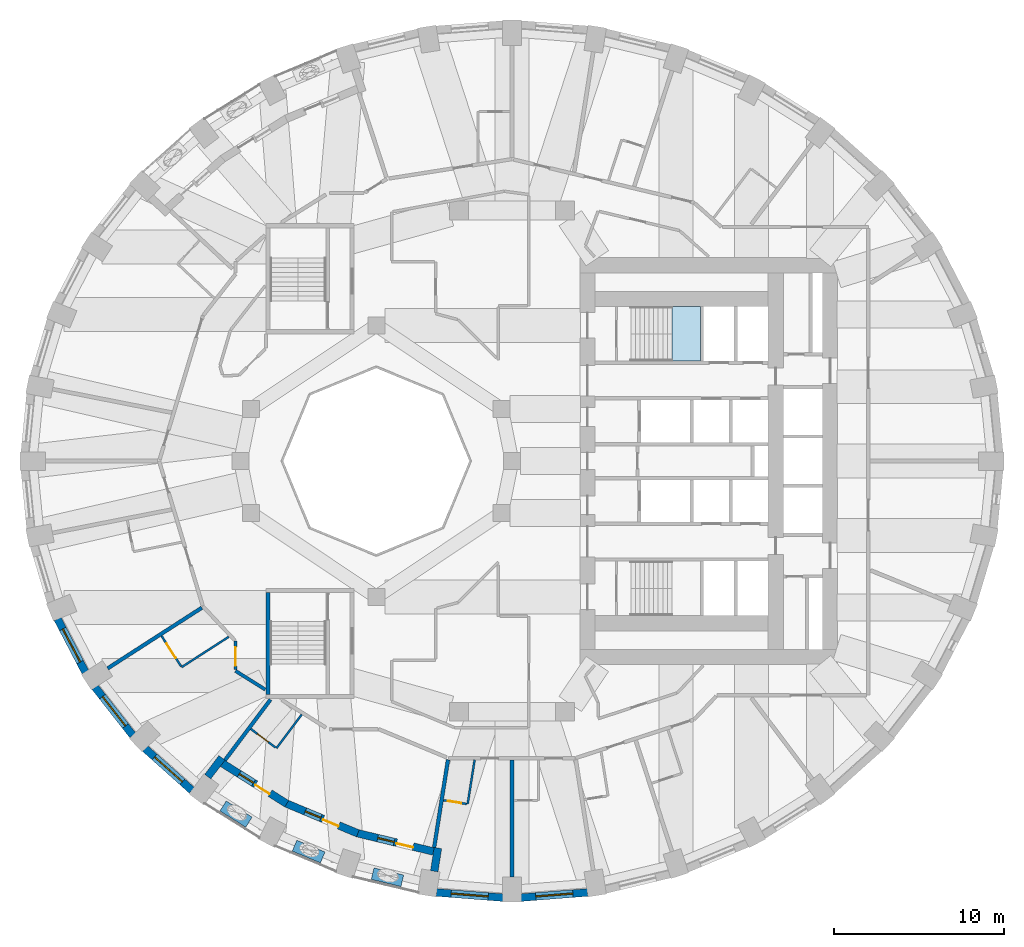
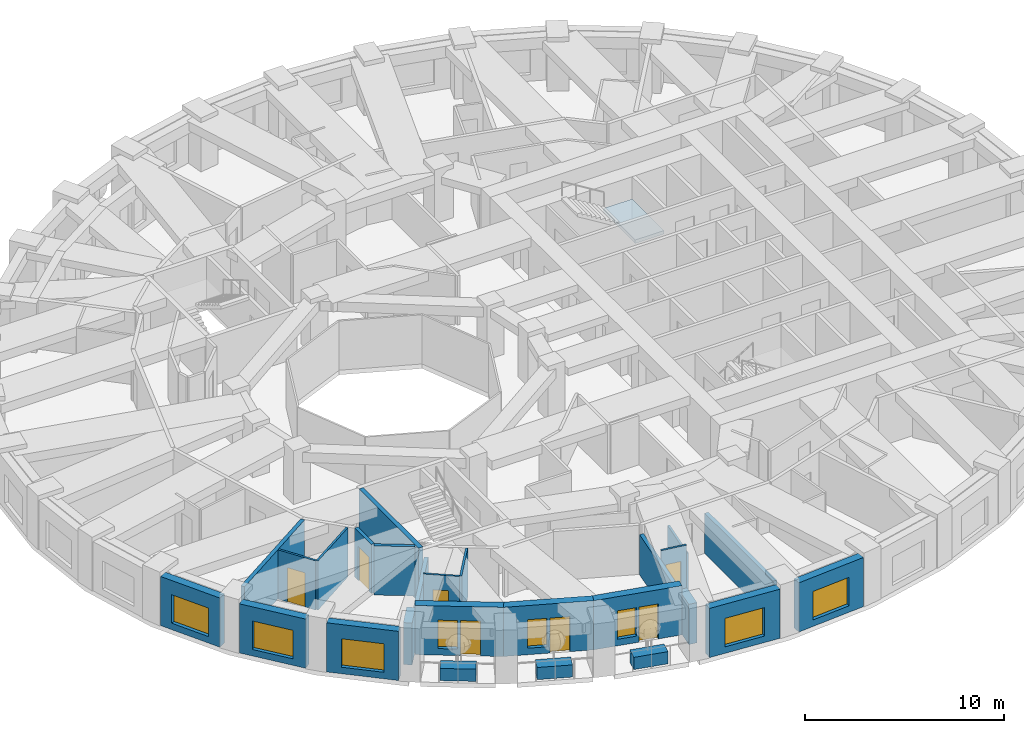
# One storey, part 3 of 13: 26 walls, 8 windows, 7 doors, 1 slab, 15 openings, 1 element without a shape of its own.
"""IFC4 building model written with IfcOpenShell, lengths in metres."""

from ifc_helpers import new_model, si_unit, direction, frame, frame_2d, origin, place, context, subcontext, project, spatial, polyline, rectangle, outline, extrude, material, layer, layer_set, constituent, constituent_set, type_object, element, fill, aggregate, save


model = new_model("IFC4")

# Units and contexts
model_context = context("Model", 3, precision=1e-05, world=origin(), true_north=direction((0.0, 1.0)))
body_context = subcontext(model_context, "Body", "Model", "MODEL_VIEW")
ifc_project = project(units=[si_unit("LENGTHUNIT", "METRE"), si_unit("AREAUNIT", "SQUARE_METRE"), si_unit("VOLUMEUNIT", "CUBIC_METRE"), si_unit("PLANEANGLEUNIT", "RADIAN"), si_unit("MASSUNIT", "GRAM", prefix="KILO")], contexts=[model_context])

# Site, building, storey
site_placement = place(None, origin())
site = spatial("IfcSite", under=ifc_project, at=site_placement, CompositionType="ELEMENT")
building_placement = place(site_placement, origin())
building = spatial("IfcBuilding", under=site, at=building_placement, Name="Taillehof Tower", CompositionType="ELEMENT")
storey_placement = place(building_placement, frame((0.0, 0.0, 41.5)))
storey = spatial("IfcBuildingStorey", under=building, at=storey_placement, Name="L10", CompositionType="ELEMENT", Elevation=41.5)

# Stair, slab
ifc_material_1 = material(Name="Concrete C40/50", Category="concrete")
stair_type = type_object("IfcStairType", Name="Exit stair half-turn", PredefinedType="HALF_TURN_STAIR", material=ifc_material_1)
stair_placement = place(storey_placement, origin())
stair = element("IfcStair", 1, at=stair_placement, inside=storey, type_object=stair_type, Name="Exit stair S1", PredefinedType="HALF_TURN_STAIR")
ifc_material_2 = material(Name="Concrete C40/50", Category="concrete")
ifc_layer_1 = layer(ifc_material_2, 0.2099609375)
ifc_layer_set_1 = layer_set([ifc_layer_1], Name="Stair landing C40/50 210")
slab_type = type_object("IfcSlabType", Name="Stair landing C40/50 210", PredefinedType="LANDING", material=ifc_layer_set_1)
slab_placement = place(storey_placement, frame((0.0, 0.0, 1.43994140625)))
slab = element("IfcSlab", 2, at=slab_placement, type_object=slab_type, Name="S1 landing 1", PredefinedType="LANDING", context=body_context, shape_type="SweptSolid", body=[
    extrude(outline(polyline([(9.429931640625, 5.89990234375), (11.10009765625, 5.89990234375), (11.10009765625, 9.10009765625), (9.429931640625, 9.10009765625), (9.429931640625, 5.89990234375)])), origin(), (0.0, 0.0, 1.0), 0.2099609375),
])
aggregate(stair, [slab])

# Wall, opening, window
ifc_material_3 = material(Name="Brick masonry", Category="masonry")
ifc_layer_2 = layer(ifc_material_3, 0.449951171875)
ifc_layer_set_2 = layer_set([ifc_layer_2], Name="Brick infill wall 450")
wall_type_1 = type_object("IfcWallType", Name="Brick infill wall 450", PredefinedType="SOLIDWALL", material=ifc_layer_set_2)
wall_1_placement = place(storey_placement, frame((-26.78564453125, -9.30517578125, 0.0), z_axis=(0.0, 0.0, 1.0), x_axis=(0.462492775226, -0.886623050041, 0.0)))
wall_1 = element("IfcWall", 3, at=wall_1_placement, inside=storey, type_object=wall_type_1, Name="Brick wall L10 bay 21", PredefinedType="SOLIDWALL", context=body_context, shape_type="SweptSolid", body=[
    extrude(rectangle(XDim=3.531982421875, YDim=0.449951171875, at=frame_2d((1.76611328125, 0.0))), origin(), (0.0, 0.0, 1.0), 3.02001953125),
])
opening_1_placement = place(wall_1_placement, frame((0.666015625, 0.0, 0.39990234375)))
opening_1 = element("IfcOpeningElement", 4, at=opening_1_placement, cuts=wall_1, Name="Opening W1", PredefinedType="OPENING", context=body_context, shape_type="SweptSolid", body=[
    extrude(rectangle(XDim=2.199951171875, YDim=1.75, at=frame_2d((1.10009765625, 0.875))), frame((0.0, 0.23486328125, 0.0), z_axis=(0.0, -1.0, 0.0), x_axis=(1.0, 0.0, 0.0)), (0.0, 0.0, 1.0), 0.469970703125),
])
ifc_material_4 = material(Name="Aluminium window frame with clear double glazing", Category="aluminium")
window_type_1 = type_object("IfcWindowType", Name="Deep-set window 2200x1750", PartitioningType="SINGLE_PANEL", PredefinedType="WINDOW", material=ifc_material_4)
window_1_placement = place(opening_1_placement, origin())
window_1 = element("IfcWindow", 5, at=window_1_placement, inside=storey, type_object=window_type_1, Name="W1", OverallHeight=1.75, OverallWidth=2.199951171875, PartitioningType="SINGLE_PANEL", PredefinedType="WINDOW", context=body_context, shape_type="SweptSolid", body=[
    extrude(rectangle(XDim=2.199951171875, YDim=1.75, at=frame_2d((1.10009765625, 0.875))), frame((0.0, 0.034912109375, 0.0), z_axis=(0.0, -1.0, 0.0), x_axis=(1.0, 0.0, 0.0)), (0.0, 0.0, 1.0), 0.06005859375),
])
fill(opening_1, window_1)

wall_2_placement = place(storey_placement, frame((-24.57763671875, -13.327880859375, 0.0), z_axis=(0.0, 0.0, 1.0), x_axis=(0.616661975264, -0.787228053529, 0.0)))
wall_2 = element("IfcWall", 6, at=wall_2_placement, inside=storey, type_object=wall_type_1, Name="Brick wall L10 bay 22", PredefinedType="SOLIDWALL", context=body_context, shape_type="SweptSolid", body=[
    extrude(rectangle(XDim=3.60986328125, YDim=0.449951171875, at=frame_2d((1.804931640625, 0.0))), origin(), (0.0, 0.0, 1.0), 3.02001953125),
])
opening_2_placement = place(wall_2_placement, frame((0.704833984375, 0.0, 0.39990234375)))
opening_2 = element("IfcOpeningElement", 7, at=opening_2_placement, cuts=wall_2, Name="Opening W1", PredefinedType="OPENING", context=body_context, shape_type="SweptSolid", body=[
    extrude(rectangle(XDim=2.199951171875, YDim=1.75, at=frame_2d((1.10009765625, 0.875))), frame((0.0, 0.23486328125, 0.0), z_axis=(0.0, -1.0, 0.0), x_axis=(1.0, 0.0, 0.0)), (0.0, 0.0, 1.0), 0.469970703125),
])
window_2_placement = place(opening_2_placement, origin())
window_2 = element("IfcWindow", 8, at=window_2_placement, inside=storey, type_object=window_type_1, Name="W1", OverallHeight=1.75, OverallWidth=2.199951171875, PartitioningType="SINGLE_PANEL", PredefinedType="WINDOW", context=body_context, shape_type="SweptSolid", body=[
    extrude(rectangle(XDim=2.199951171875, YDim=1.75, at=frame_2d((1.10009765625, 0.875))), frame((0.0, 0.034912109375, 0.0), z_axis=(0.0, -1.0, 0.0), x_axis=(1.0, 0.0, 0.0)), (0.0, 0.0, 1.0), 0.06005859375),
])
fill(opening_2, window_2)

wall_3_placement = place(storey_placement, frame((-21.626708984375, -16.943115234375, 0.0), z_axis=(0.0, 0.0, 1.0), x_axis=(0.745526233716, -0.66647628228, 0.0)))
wall_3 = element("IfcWall", 9, at=wall_3_placement, inside=storey, type_object=wall_type_1, Name="Brick wall L10 bay 23", PredefinedType="SOLIDWALL", context=body_context, shape_type="SweptSolid", body=[
    extrude(rectangle(XDim=3.69677734375, YDim=0.449951171875, at=frame_2d((1.848388671875, 0.0))), origin(), (0.0, 0.0, 1.0), 3.02001953125),
])
opening_3_placement = place(wall_3_placement, frame((0.74853515625, 0.0, 0.39990234375)))
opening_3 = element("IfcOpeningElement", 10, at=opening_3_placement, cuts=wall_3, Name="Opening W1", PredefinedType="OPENING", context=body_context, shape_type="SweptSolid", body=[
    extrude(rectangle(XDim=2.199951171875, YDim=1.75, at=frame_2d((1.10009765625, 0.875))), frame((0.0, 0.23486328125, 0.0), z_axis=(0.0, -1.0, 0.0), x_axis=(1.0, 0.0, 0.0)), (0.0, 0.0, 1.0), 0.469970703125),
])
window_3_placement = place(opening_3_placement, origin())
window_3 = element("IfcWindow", 11, at=window_3_placement, inside=storey, type_object=window_type_1, Name="W1", OverallHeight=1.75, OverallWidth=2.199951171875, PartitioningType="SINGLE_PANEL", PredefinedType="WINDOW", context=body_context, shape_type="SweptSolid", body=[
    extrude(rectangle(XDim=2.199951171875, YDim=1.75, at=frame_2d((1.10009765625, 0.875))), frame((0.0, 0.034912109375, 0.0), z_axis=(0.0, -1.0, 0.0), x_axis=(1.0, 0.0, 0.0)), (0.0, 0.0, 1.0), 0.06005859375),
])
fill(opening_3, window_3)

wall_4_placement = place(storey_placement, frame((-4.457275390625, -25.42578125, 0.0), z_axis=(0.0, 0.0, 1.0), x_axis=(0.996955972145, -0.077966592873, 0.0)))
wall_4 = element("IfcWall", 12, at=wall_4_placement, inside=storey, type_object=wall_type_1, Name="Brick wall L10 bay 27", PredefinedType="SOLIDWALL", context=body_context, shape_type="SweptSolid", body=[
    extrude(rectangle(XDim=3.939208984375, YDim=0.449951171875, at=frame_2d((1.9697265625, 0.0))), origin(), (0.0, 0.0, 1.0), 3.02001953125),
])
opening_4_placement = place(wall_4_placement, frame((0.86962890625, 0.0, 0.39990234375)))
opening_4 = element("IfcOpeningElement", 13, at=opening_4_placement, cuts=wall_4, Name="Opening W1", PredefinedType="OPENING", context=body_context, shape_type="SweptSolid", body=[
    extrude(rectangle(XDim=2.199951171875, YDim=1.75, at=frame_2d((1.10009765625, 0.875))), frame((0.0, 0.23486328125, 0.0), z_axis=(0.0, -1.0, 0.0), x_axis=(1.0, 0.0, 0.0)), (0.0, 0.0, 1.0), 0.469970703125),
])
window_4_placement = place(opening_4_placement, origin())
window_4 = element("IfcWindow", 14, at=window_4_placement, inside=storey, type_object=window_type_1, Name="W1", OverallHeight=1.75, OverallWidth=2.199951171875, PartitioningType="SINGLE_PANEL", PredefinedType="WINDOW", context=body_context, shape_type="SweptSolid", body=[
    extrude(rectangle(XDim=2.199951171875, YDim=1.75, at=frame_2d((1.10009765625, 0.875))), frame((0.0, 0.034912109375, 0.0), z_axis=(0.0, -1.0, 0.0), x_axis=(1.0, 0.0, 0.0)), (0.0, 0.0, 1.0), 0.06005859375),
])
fill(opening_4, window_4)

wall_5_placement = place(storey_placement, frame((0.530029296875, -25.73291015625, 0.0), z_axis=(0.0, 0.0, 1.0), x_axis=(0.996955972145, 0.077966592873, 0.0)))
wall_5 = element("IfcWall", 15, at=wall_5_placement, inside=storey, type_object=wall_type_1, Name="Brick wall L10 bay 28", PredefinedType="SOLIDWALL", context=body_context, shape_type="SweptSolid", body=[
    extrude(rectangle(XDim=3.939208984375, YDim=0.449951171875, at=frame_2d((1.9697265625, 0.0))), origin(), (0.0, 0.0, 1.0), 3.02001953125),
])
opening_5_placement = place(wall_5_placement, frame((0.86962890625, 0.0, 0.39990234375)))
opening_5 = element("IfcOpeningElement", 16, at=opening_5_placement, cuts=wall_5, Name="Opening W1", PredefinedType="OPENING", context=body_context, shape_type="SweptSolid", body=[
    extrude(rectangle(XDim=2.199951171875, YDim=1.75, at=frame_2d((1.10009765625, 0.875))), frame((0.0, 0.23486328125, 0.0), z_axis=(0.0, -1.0, 0.0), x_axis=(1.0, 0.0, 0.0)), (0.0, 0.0, 1.0), 0.469970703125),
])
window_5_placement = place(opening_5_placement, origin())
window_5 = element("IfcWindow", 17, at=window_5_placement, inside=storey, type_object=window_type_1, Name="W1", OverallHeight=1.75, OverallWidth=2.199951171875, PartitioningType="SINGLE_PANEL", PredefinedType="WINDOW", context=body_context, shape_type="SweptSolid", body=[
    extrude(rectangle(XDim=2.199951171875, YDim=1.75, at=frame_2d((1.10009765625, 0.875))), frame((0.0, 0.034912109375, 0.0), z_axis=(0.0, -1.0, 0.0), x_axis=(1.0, 0.0, 0.0)), (0.0, 0.0, 1.0), 0.06005859375),
])
fill(opening_5, window_5)

# Walls
wall_6_placement = place(storey_placement, frame((-17.931640625, -18.60009765625, 0.0), z_axis=(0.0, 0.0, 1.0), x_axis=(0.601262851241, 0.799051302306, 0.0)))
element("IfcWall", 18, at=wall_6_placement, inside=storey, type_object=wall_type_1, Name="Brick reveal L10 pocket 7", PredefinedType="SOLIDWALL", context=body_context, shape_type="SweptSolid", body=[
    extrude(rectangle(XDim=1.39111328125, YDim=0.449951171875, at=frame_2d((0.695556640625, 0.0))), origin(), (0.0, 0.0, 1.0), 2.570068359375),
])
wall_7_placement = place(storey_placement, frame((-4.58251953125, -24.178466796875, 0.0), z_axis=(0.0, 0.0, 1.0), x_axis=(0.156133927791, 0.98773589415, 0.0)))
element("IfcWall", 19, at=wall_7_placement, inside=storey, type_object=wall_type_1, Name="Brick reveal L10 pocket 7", PredefinedType="SOLIDWALL", context=body_context, shape_type="SweptSolid", body=[
    extrude(rectangle(XDim=1.39013671875, YDim=0.449951171875, at=frame_2d((0.695068359375, 0.0))), origin(), (0.0, 0.0, 1.0), 2.469970703125),
])

# Wall, openings, door, window
wall_8_placement = place(storey_placement, frame((-17.062255859375, -17.81884765625, 0.0), z_axis=(0.0, 0.0, 1.0), x_axis=(0.846990101364, -0.531608660757, 0.0)))
wall_8 = element("IfcWall", 20, at=wall_8_placement, inside=storey, type_object=wall_type_1, Name="Brick wall L10 pocket bay 24", PredefinedType="SOLIDWALL", context=body_context, shape_type="SweptSolid", body=[
    extrude(rectangle(XDim=4.468994140625, YDim=0.449951171875, at=frame_2d((2.234375, 0.0))), origin(), (0.0, 0.0, 1.0), 3.02001953125),
])
opening_6_placement = place(wall_8_placement, frame((1.159423828125, 0.0, 0.39990234375)))
opening_6 = element("IfcOpeningElement", 21, at=opening_6_placement, cuts=wall_8, Name="Opening W5", PredefinedType="OPENING", context=body_context, shape_type="SweptSolid", body=[
    extrude(rectangle(XDim=1.0, YDim=1.75, at=frame_2d((0.5, 0.875))), frame((0.0, 0.23486328125, 0.0), z_axis=(0.0, -1.0, 0.0), x_axis=(1.0, 0.0, 0.0)), (0.0, 0.0, 1.0), 0.469970703125),
])
opening_7_placement = place(wall_8_placement, frame((2.3095703125, 0.0, 0.0)))
opening_7 = element("IfcOpeningElement", 22, at=opening_7_placement, cuts=wall_8, Name="Opening D1091", PredefinedType="OPENING", context=body_context, shape_type="SweptSolid", body=[
    extrude(rectangle(XDim=1.0, YDim=2.14990234375, at=frame_2d((0.5, 1.074951171875))), frame((0.0, 0.23486328125, 0.0), z_axis=(0.0, -1.0, 0.0), x_axis=(1.0, 0.0, 0.0)), (0.0, 0.0, 1.0), 0.469970703125),
])
ifc_material_5 = material(Name="Aluminium door frame with clear double glazing", Category="aluminium")
door_type_1 = type_object("IfcDoorType", Name="Balcony door 1000x2150", OperationType="SINGLE_SWING_RIGHT", PredefinedType="DOOR", material=ifc_material_5)
door_1_placement = place(opening_7_placement, frame((1.0, 0.0, 0.0), z_axis=(0.0, 0.0, 1.0), x_axis=(-1.0, 0.0, 0.0)))
door_1 = element("IfcDoor", 23, at=door_1_placement, inside=storey, type_object=door_type_1, Name="Balcony door L10 bay 24", OperationType="SINGLE_SWING_RIGHT", OverallHeight=2.14990234375, OverallWidth=1.0, PredefinedType="DOOR", context=body_context, shape_type="SweptSolid", body=[
    extrude(rectangle(XDim=1.0, YDim=2.14990234375, at=frame_2d((0.5, 1.074951171875))), frame((0.0, 0.0751953125, 0.0), z_axis=(0.0, -1.0, 0.0), x_axis=(1.0, 0.0, 0.0)), (0.0, 0.0, 1.0), 0.050048828125),
])
fill(opening_7, door_1)
ifc_material_6 = material(Name="Aluminium window frame with clear double glazing", Category="aluminium")
window_type_2 = type_object("IfcWindowType", Name="Fixed window 1000x1750", PartitioningType="SINGLE_PANEL", PredefinedType="WINDOW", material=ifc_material_6)
window_6_placement = place(opening_6_placement, origin())
window_6 = element("IfcWindow", 24, at=window_6_placement, inside=storey, type_object=window_type_2, Name="W5", OverallHeight=1.75, OverallWidth=1.0, PartitioningType="SINGLE_PANEL", PredefinedType="WINDOW", context=body_context, shape_type="SweptSolid", body=[
    extrude(rectangle(XDim=1.0, YDim=1.75, at=frame_2d((0.5, 0.875))), frame((0.0, 0.034912109375, 0.0), z_axis=(0.0, -1.0, 0.0), x_axis=(1.0, 0.0, 0.0)), (0.0, 0.0, 1.0), 0.06005859375),
])
fill(opening_6, window_6)

wall_9_placement = place(storey_placement, frame((-13.31005859375, -20.177734375, 0.0), z_axis=(0.0, 0.0, 1.0), x_axis=(0.922634412489, -0.385675693935, 0.0)))
wall_9 = element("IfcWall", 25, at=wall_9_placement, inside=storey, type_object=wall_type_1, Name="Brick wall L10 pocket bay 25", PredefinedType="SOLIDWALL", context=body_context, shape_type="SweptSolid", body=[
    extrude(rectangle(XDim=4.57666015625, YDim=0.449951171875, at=frame_2d((2.288330078125, 0.0))), origin(), (0.0, 0.0, 1.0), 3.02001953125),
])
opening_8_placement = place(wall_9_placement, frame((1.21337890625, 0.0, 0.39990234375)))
opening_8 = element("IfcOpeningElement", 26, at=opening_8_placement, cuts=wall_9, Name="Opening W5", PredefinedType="OPENING", context=body_context, shape_type="SweptSolid", body=[
    extrude(rectangle(XDim=1.0, YDim=1.75, at=frame_2d((0.5, 0.875))), frame((0.0, 0.23486328125, 0.0), z_axis=(0.0, -1.0, 0.0), x_axis=(1.0, 0.0, 0.0)), (0.0, 0.0, 1.0), 0.469970703125),
])
opening_9_placement = place(wall_9_placement, frame((2.36328125, 0.0, 0.0)))
opening_9 = element("IfcOpeningElement", 27, at=opening_9_placement, cuts=wall_9, Name="Opening D1092", PredefinedType="OPENING", context=body_context, shape_type="SweptSolid", body=[
    extrude(rectangle(XDim=1.0, YDim=2.14990234375, at=frame_2d((0.5, 1.074951171875))), frame((0.0, 0.23486328125, 0.0), z_axis=(0.0, -1.0, 0.0), x_axis=(1.0, 0.0, 0.0)), (0.0, 0.0, 1.0), 0.469970703125),
])
door_2_placement = place(opening_9_placement, frame((1.0, 0.0, 0.0), z_axis=(0.0, 0.0, 1.0), x_axis=(-1.0, 0.0, 0.0)))
door_2 = element("IfcDoor", 28, at=door_2_placement, inside=storey, type_object=door_type_1, Name="Balcony door L10 bay 25", OperationType="SINGLE_SWING_LEFT", OverallHeight=2.14990234375, OverallWidth=1.0, PredefinedType="DOOR", context=body_context, shape_type="SweptSolid", body=[
    extrude(rectangle(XDim=1.0, YDim=2.14990234375, at=frame_2d((0.5, 1.074951171875))), frame((0.0, 0.0751953125, 0.0), z_axis=(0.0, -1.0, 0.0), x_axis=(1.0, 0.0, 0.0)), (0.0, 0.0, 1.0), 0.050048828125),
])
fill(opening_9, door_2)
window_7_placement = place(opening_8_placement, origin())
window_7 = element("IfcWindow", 29, at=window_7_placement, inside=storey, type_object=window_type_2, Name="W5", OverallHeight=1.75, OverallWidth=1.0, PartitioningType="SINGLE_PANEL", PredefinedType="WINDOW", context=body_context, shape_type="SweptSolid", body=[
    extrude(rectangle(XDim=1.0, YDim=1.75, at=frame_2d((0.5, 0.875))), frame((0.0, 0.034912109375, 0.0), z_axis=(0.0, -1.0, 0.0), x_axis=(1.0, 0.0, 0.0)), (0.0, 0.0, 1.0), 0.06005859375),
])
fill(opening_8, window_7)

wall_10_placement = place(storey_placement, frame((-9.12158203125, -21.931640625, 0.0), z_axis=(0.0, 0.0, 1.0), x_axis=(0.972346547441, -0.233542697764, 0.0)))
wall_10 = element("IfcWall", 30, at=wall_10_placement, inside=storey, type_object=wall_type_1, Name="Brick wall L10 pocket bay 26", PredefinedType="SOLIDWALL", context=body_context, shape_type="SweptSolid", body=[
    extrude(rectangle(XDim=4.623779296875, YDim=0.449951171875, at=frame_2d((2.31201171875, 0.0))), origin(), (0.0, 0.0, 1.0), 3.02001953125),
])
opening_10_placement = place(wall_10_placement, frame((1.23681640625, 0.0, 0.39990234375)))
opening_10 = element("IfcOpeningElement", 31, at=opening_10_placement, cuts=wall_10, Name="Opening W5", PredefinedType="OPENING", context=body_context, shape_type="SweptSolid", body=[
    extrude(rectangle(XDim=1.0, YDim=1.75, at=frame_2d((0.5, 0.875))), frame((0.0, 0.23486328125, 0.0), z_axis=(0.0, -1.0, 0.0), x_axis=(1.0, 0.0, 0.0)), (0.0, 0.0, 1.0), 0.469970703125),
])
opening_11_placement = place(wall_10_placement, frame((2.38671875, 0.0, 0.0)))
opening_11 = element("IfcOpeningElement", 32, at=opening_11_placement, cuts=wall_10, Name="Opening D1093", PredefinedType="OPENING", context=body_context, shape_type="SweptSolid", body=[
    extrude(rectangle(XDim=1.0, YDim=2.14990234375, at=frame_2d((0.5, 1.074951171875))), frame((0.0, 0.23486328125, 0.0), z_axis=(0.0, -1.0, 0.0), x_axis=(1.0, 0.0, 0.0)), (0.0, 0.0, 1.0), 0.469970703125),
])
door_3_placement = place(opening_11_placement, frame((1.0, 0.0, 0.0), z_axis=(0.0, 0.0, 1.0), x_axis=(-1.0, 0.0, 0.0)))
door_3 = element("IfcDoor", 33, at=door_3_placement, inside=storey, type_object=door_type_1, Name="Balcony door L10 bay 26", OperationType="SINGLE_SWING_LEFT", OverallHeight=2.14990234375, OverallWidth=1.0, PredefinedType="DOOR", context=body_context, shape_type="SweptSolid", body=[
    extrude(rectangle(XDim=1.0, YDim=2.14990234375, at=frame_2d((0.5, 1.074951171875))), frame((0.0, 0.0751953125, 0.0), z_axis=(0.0, -1.0, 0.0), x_axis=(1.0, 0.0, 0.0)), (0.0, 0.0, 1.0), 0.050048828125),
])
fill(opening_11, door_3)
window_8_placement = place(opening_10_placement, origin())
window_8 = element("IfcWindow", 34, at=window_8_placement, inside=storey, type_object=window_type_2, Name="W5", OverallHeight=1.75, OverallWidth=1.0, PartitioningType="SINGLE_PANEL", PredefinedType="WINDOW", context=body_context, shape_type="SweptSolid", body=[
    extrude(rectangle(XDim=1.0, YDim=1.75, at=frame_2d((0.5, 0.875))), frame((0.0, 0.034912109375, 0.0), z_axis=(0.0, -1.0, 0.0), x_axis=(1.0, 0.0, 0.0)), (0.0, 0.0, 1.0), 0.06005859375),
])
fill(opening_10, window_8)

# Wall
ifc_material_7 = material(Name="Gypsum board on steel studs, two layers each side", Category="steel")
ifc_layer_3 = layer(ifc_material_7, 0.199951171875)
ifc_layer_set_3 = layer_set([ifc_layer_3], Name="Compartment wall corridor 200")
wall_type_2 = type_object("IfcWallType", Name="Compartment wall corridor 200", PredefinedType="PARTITIONING", material=ifc_layer_set_3)
wall_11_placement = place(storey_placement, frame((-14.544677734375, -13.46630859375, 0.0), z_axis=(0.0, 0.0, 1.0), x_axis=(-0.846977572949, 0.53162862124, 0.0)))
element("IfcWall", 35, at=wall_11_placement, inside=storey, type_object=wall_type_2, Name="Compartment wall", PredefinedType="PARTITIONING", context=body_context, shape_type="SweptSolid", body=[
    extrude(rectangle(XDim=2.072509765625, YDim=0.199951171875, at=frame_2d((1.0361328125, 0.0))), origin(), (0.0, 0.0, 1.0), 3.02001953125),
])

# Wall, opening, door
wall_12_placement = place(storey_placement, frame((-16.300048828125, -12.284423828125, 0.0), z_axis=(0.0, 0.0, 1.0), x_axis=(0.0, 1.0, 0.0)))
wall_12 = element("IfcWall", 36, at=wall_12_placement, inside=storey, type_object=wall_type_2, Name="Compartment wall", PredefinedType="PARTITIONING", context=body_context, shape_type="SweptSolid", body=[
    extrude(rectangle(XDim=1.677978515625, YDim=0.199951171875, at=frame_2d((0.8388671875, 0.0))), origin(), (0.0, 0.0, 1.0), 3.02001953125),
])
opening_12_placement = place(wall_12_placement, frame((0.219970703125, 0.0, 0.0)))
opening_12 = element("IfcOpeningElement", 37, at=opening_12_placement, cuts=wall_12, Name="Opening D1054", PredefinedType="OPENING", context=body_context, shape_type="SweptSolid", body=[
    extrude(rectangle(XDim=1.10009765625, YDim=2.10009765625, at=frame_2d((0.550048828125, 1.050048828125))), frame((0.0, 0.10986328125, 0.0), z_axis=(0.0, -1.0, 0.0), x_axis=(1.0, 0.0, 0.0)), (0.0, 0.0, 1.0), 0.219970703125),
])
ifc_material_8 = material(Name="Timber door leaf in steel frame", Category="steel")
door_type_2 = type_object("IfcDoorType", Name="Accessible guest room door EI 30 1100 x 2100", OperationType="SINGLE_SWING_LEFT", PredefinedType="DOOR", material=ifc_material_8)
door_4_placement = place(opening_12_placement, origin())
door_4 = element("IfcDoor", 38, at=door_4_placement, inside=storey, type_object=door_type_2, Name="D1054", OperationType="SINGLE_SWING_RIGHT", OverallHeight=2.10009765625, OverallWidth=1.10009765625, PredefinedType="DOOR", context=body_context, shape_type="SweptSolid", body=[
    extrude(rectangle(XDim=1.10009765625, YDim=2.10009765625, at=frame_2d((0.550048828125, 1.050048828125))), frame((0.0, 0.02490234375, 0.0), z_axis=(0.0, -1.0, 0.0), x_axis=(1.0, 0.0, 0.0)), (0.0, 0.0, 1.0), 0.050048828125),
])
fill(opening_12, door_4)

# Walls
ifc_material_9 = material(Name="Gypsum board on double steel studs with mineral wool", Category="steel")
ifc_layer_4 = layer(ifc_material_9, 0.219970703125)
ifc_layer_set_4 = layer_set([ifc_layer_4], Name="Compartment wall guest room 220")
wall_type_3 = type_object("IfcWallType", Name="Compartment wall guest room 220", PredefinedType="PARTITIONING", material=ifc_layer_set_4)
wall_13_placement = place(storey_placement, frame((-23.834716796875, -12.218994140625, 0.0), z_axis=(0.0, 0.0, 1.0), x_axis=(0.840757959101, 0.541411169268, 0.0)))
element("IfcWall", 39, at=wall_13_placement, inside=storey, type_object=wall_type_3, Name="Compartment wall", PredefinedType="PARTITIONING", context=body_context, shape_type="SweptSolid", body=[
    extrude(rectangle(XDim=6.606201171875, YDim=0.219970703125, at=frame_2d((3.30322265625, 0.0))), origin(), (0.0, 0.0, 1.0), 3.02001953125),
])
wall_14_placement = place(storey_placement, frame((-16.926513671875, -17.638427734375, 0.0), z_axis=(0.0, 0.0, 1.0), x_axis=(0.601158965663, 0.799129462605, 0.0)))
element("IfcWall", 40, at=wall_14_placement, inside=storey, type_object=wall_type_3, Name="Compartment wall", PredefinedType="PARTITIONING", context=body_context, shape_type="SweptSolid", body=[
    extrude(rectangle(XDim=4.480224609375, YDim=0.219970703125, at=frame_2d((2.240234375, 0.0))), origin(), (0.0, 0.0, 1.0), 2.570068359375),
])
wall_15_placement = place(storey_placement, frame((-4.590576171875, -22.78857421875, 0.0), z_axis=(0.0, 0.0, 1.0), x_axis=(0.156110671429, 0.987739570062, 0.0)))
element("IfcWall", 41, at=wall_15_placement, inside=storey, type_object=wall_type_3, Name="Compartment wall", PredefinedType="PARTITIONING", context=body_context, shape_type="SweptSolid", body=[
    extrude(rectangle(XDim=5.24853515625, YDim=0.219970703125, at=frame_2d((2.624267578125, 0.0))), origin(), (0.0, 0.0, 1.0), 2.469970703125),
])
wall_16_placement = place(storey_placement, frame((0.0, -24.5, 0.0), z_axis=(0.0, 0.0, 1.0), x_axis=(0.0, 1.0, 0.0)))
element("IfcWall", 42, at=wall_16_placement, inside=storey, type_object=wall_type_3, Name="Compartment wall", PredefinedType="PARTITIONING", context=body_context, shape_type="SweptSolid", body=[
    extrude(rectangle(XDim=6.894287109375, YDim=0.219970703125, at=frame_2d((3.447265625, 0.0))), origin(), (0.0, 0.0, 1.0), 2.469970703125),
])
ifc_material_10 = material(Name="Gypsum board on steel studs, moisture resistant", Category="steel")
ifc_layer_5 = layer(ifc_material_10, 0.1201171875)
ifc_layer_set_5 = layer_set([ifc_layer_5], Name="En-suite wall 120")
wall_type_4 = type_object("IfcWallType", Name="En-suite wall 120", PredefinedType="PARTITIONING", material=ifc_layer_set_5)
wall_17_placement = place(storey_placement, frame((-16.697265625, -10.358154296875, 0.0), z_axis=(0.0, 0.0, 1.0), x_axis=(-0.84073116979, -0.541452768156, 0.0)))
element("IfcWall", 43, at=wall_17_placement, inside=storey, type_object=wall_type_4, Name="En-suite wall", PredefinedType="PARTITIONING", context=body_context, shape_type="SweptSolid", body=[
    extrude(rectangle(XDim=3.300537109375, YDim=0.1201171875, at=frame_2d((1.650390625, 0.0))), origin(), (0.0, 0.0, 1.0), 3.02001953125),
])
wall_18_placement = place(storey_placement, frame((-12.390869140625, -14.936279296875, 0.0), z_axis=(0.0, 0.0, 1.0), x_axis=(-0.601209195786, -0.799091673654, 0.0)))
element("IfcWall", 44, at=wall_18_placement, inside=storey, type_object=wall_type_4, Name="En-suite wall", PredefinedType="PARTITIONING", context=body_context, shape_type="SweptSolid", body=[
    extrude(rectangle(XDim=2.486083984375, YDim=0.1201171875, at=frame_2d((1.2431640625, 0.0))), origin(), (0.0, 0.0, 1.0), 3.02001953125),
])
wall_19_placement = place(storey_placement, frame((-2.201904296875, -17.605712890625, 0.0), z_axis=(0.0, 0.0, 1.0), x_axis=(-0.156156996107, -0.987732247407, 0.0)))
element("IfcWall", 45, at=wall_19_placement, inside=storey, type_object=wall_type_4, Name="En-suite wall", PredefinedType="PARTITIONING", context=body_context, shape_type="SweptSolid", body=[
    extrude(rectangle(XDim=2.643798828125, YDim=0.1201171875, at=frame_2d((1.32177734375, 0.0))), origin(), (0.0, 0.0, 1.0), 2.469970703125),
])

# Wall, opening, door
wall_20_placement = place(storey_placement, frame((-19.50439453125, -12.0947265625, 0.0), z_axis=(0.0, 0.0, 1.0), x_axis=(-0.541591545821, 0.840641777153, 0.0)))
wall_20 = element("IfcWall", 46, at=wall_20_placement, inside=storey, type_object=wall_type_4, Name="En-suite wall", PredefinedType="PARTITIONING", context=body_context, shape_type="SweptSolid", body=[
    extrude(rectangle(XDim=2.1298828125, YDim=0.1201171875, at=frame_2d((1.06494140625, 0.0))), origin(), (0.0, 0.0, 1.0), 3.02001953125),
])
opening_13_placement = place(wall_20_placement, frame((0.590087890625, 0.0, 0.0)))
opening_13 = element("IfcOpeningElement", 47, at=opening_13_placement, cuts=wall_20, Name="Opening D1055", PredefinedType="OPENING", context=body_context, shape_type="SweptSolid", body=[
    extrude(rectangle(XDim=1.0, YDim=2.10009765625, at=frame_2d((0.5, 1.050048828125))), frame((0.0, 0.070068359375, 0.0), z_axis=(0.0, -1.0, 0.0), x_axis=(1.0, 0.0, 0.0)), (0.0, 0.0, 1.0), 0.14013671875),
])
ifc_material_11 = material(Name="Timber door leaf in steel frame", Category="steel")
door_type_3 = type_object("IfcDoorType", Name="Accessible en-suite door 1000 x 2100", OperationType="SINGLE_SWING_LEFT", PredefinedType="DOOR", material=ifc_material_11)
door_5_placement = place(opening_13_placement, origin())
door_5 = element("IfcDoor", 48, at=door_5_placement, inside=storey, type_object=door_type_3, Name="D1055", OperationType="SINGLE_SWING_RIGHT", OverallHeight=2.10009765625, OverallWidth=1.0, PredefinedType="DOOR", context=body_context, shape_type="SweptSolid", body=[
    extrude(rectangle(XDim=1.0, YDim=2.10009765625, at=frame_2d((0.5, 1.050048828125))), frame((0.0, 0.02490234375, 0.0), z_axis=(0.0, -1.0, 0.0), x_axis=(1.0, 0.0, 0.0)), (0.0, 0.0, 1.0), 0.050048828125),
])
fill(opening_13, door_5)

wall_21_placement = place(storey_placement, frame((-13.933349609375, -16.88671875, 0.0), z_axis=(0.0, 0.0, 1.0), x_axis=(-0.799134663307, 0.601152052231, 0.0)))
wall_21 = element("IfcWall", 49, at=wall_21_placement, inside=storey, type_object=wall_type_4, Name="En-suite wall", PredefinedType="PARTITIONING", context=body_context, shape_type="SweptSolid", body=[
    extrude(rectangle(XDim=1.830078125, YDim=0.1201171875, at=frame_2d((0.9150390625, 0.0))), origin(), (0.0, 0.0, 1.0), 3.02001953125),
])
opening_14_placement = place(wall_21_placement, frame((0.5400390625, 0.0, 0.0)))
opening_14 = element("IfcOpeningElement", 50, at=opening_14_placement, cuts=wall_21, Name="Opening D1057", PredefinedType="OPENING", context=body_context, shape_type="SweptSolid", body=[
    extrude(rectangle(XDim=0.800048828125, YDim=2.10009765625, at=frame_2d((0.39990234375, 1.050048828125))), frame((0.0, 0.070068359375, 0.0), z_axis=(0.0, -1.0, 0.0), x_axis=(1.0, 0.0, 0.0)), (0.0, 0.0, 1.0), 0.14013671875),
])
ifc_material_12 = material(Name="Timber door leaf in steel frame", Category="steel")
door_type_4 = type_object("IfcDoorType", Name="En-suite door 800 x 2100", OperationType="SINGLE_SWING_LEFT", PredefinedType="DOOR", material=ifc_material_12)
door_6_placement = place(opening_14_placement, origin())
door_6 = element("IfcDoor", 51, at=door_6_placement, inside=storey, type_object=door_type_4, Name="D1057", OperationType="SINGLE_SWING_RIGHT", OverallHeight=2.10009765625, OverallWidth=0.800048828125, PredefinedType="DOOR", context=body_context, shape_type="SweptSolid", body=[
    extrude(rectangle(XDim=0.800048828125, YDim=2.10009765625, at=frame_2d((0.39990234375, 1.050048828125))), frame((0.0, 0.02490234375, 0.0), z_axis=(0.0, -1.0, 0.0), x_axis=(1.0, 0.0, 0.0)), (0.0, 0.0, 1.0), 0.050048828125),
])
fill(opening_14, door_6)

wall_22_placement = place(storey_placement, frame((-2.674072265625, -20.207763671875, 0.0), z_axis=(0.0, 0.0, 1.0), x_axis=(-0.987695455518, 0.156389536571, 0.0)))
wall_22 = element("IfcWall", 52, at=wall_22_placement, inside=storey, type_object=wall_type_4, Name="En-suite wall", PredefinedType="PARTITIONING", context=body_context, shape_type="SweptSolid", body=[
    extrude(rectangle(XDim=1.380126953125, YDim=0.1201171875, at=frame_2d((0.68994140625, 0.0))), origin(), (0.0, 0.0, 1.0), 3.02001953125),
])
opening_15_placement = place(wall_22_placement, frame((0.31494140625, 0.0, 0.0)))
opening_15 = element("IfcOpeningElement", 53, at=opening_15_placement, cuts=wall_22, Name="Opening D1059", PredefinedType="OPENING", context=body_context, shape_type="SweptSolid", body=[
    extrude(rectangle(XDim=0.800048828125, YDim=2.10009765625, at=frame_2d((0.39990234375, 1.050048828125))), frame((0.0, 0.070068359375, 0.0), z_axis=(0.0, -1.0, 0.0), x_axis=(1.0, 0.0, 0.0)), (0.0, 0.0, 1.0), 0.14013671875),
])
door_7_placement = place(opening_15_placement, origin())
door_7 = element("IfcDoor", 54, at=door_7_placement, inside=storey, type_object=door_type_4, Name="D1059", OperationType="SINGLE_SWING_RIGHT", OverallHeight=2.10009765625, OverallWidth=0.800048828125, PredefinedType="DOOR", context=body_context, shape_type="SweptSolid", body=[
    extrude(rectangle(XDim=0.800048828125, YDim=2.10009765625, at=frame_2d((0.39990234375, 1.050048828125))), frame((0.0, 0.02490234375, 0.0), z_axis=(0.0, -1.0, 0.0), x_axis=(1.0, 0.0, 0.0)), (0.0, 0.0, 1.0), 0.050048828125),
])
fill(opening_15, door_7)

# Walls
ifc_material_13 = material(Name="Concrete C30/37 precast", Category="concrete")
ifc_constituent_1 = constituent(ifc_material_13, Name="Structure", Category="concrete")
ifc_material_14 = material(Name="Insulated lining")
ifc_constituent_2 = constituent(ifc_material_14, Name="Lining")
ifc_constituent_set = constituent_set(constituents=[ifc_constituent_1, ifc_constituent_2], Name="Planter trough 700x750")
wall_type_5 = type_object("IfcWallType", Name="Planter trough 700x750", PredefinedType="USERDEFINED", material=ifc_constituent_set)
wall_23_placement = place(storey_placement, frame((-17.03173828125, -20.327880859375, 0.0), z_axis=(0.0, 0.0, 1.0), x_axis=(0.847609446823, -0.530620604252, 0.0)))
element("IfcWall", 55, at=wall_23_placement, inside=storey, type_object=wall_type_5, Name="Planter L10 bay 24", ObjectType="PLANTER", PredefinedType="USERDEFINED", context=body_context, shape_type="SweptSolid", body=[
    extrude(rectangle(XDim=1.7998046875, YDim=0.699951171875, at=frame_2d((0.89990234375, 0.0))), origin(), (0.0, 0.0, 1.0), 0.75),
])
for number, where, z_axis, x_axis, name in (
    (56, (-12.816650390625, -22.669677734375, 0.0), (0.0, 0.0, 1.0), (0.923000660042, -0.384798364811, 0.0), "Planter L10 bay 25"),
    (57, (-8.215087890625, -24.318115234375, 0.0), (0.0, 0.0, 1.0), (0.972504142103, -0.232885580473, 0.0), "Planter L10 bay 26"),
):
    element("IfcWall", number, at=place(storey_placement, frame(where, z_axis=z_axis, x_axis=x_axis)), inside=storey, type_object=wall_type_5, Name=name, ObjectType="PLANTER", PredefinedType="USERDEFINED", context=body_context, shape_type="SweptSolid", body=[
        extrude(rectangle(XDim=1.800048828125, YDim=0.699951171875, at=frame_2d((0.89990234375, 0.0))), origin(), (0.0, 0.0, 1.0), 0.75),
    ])
ifc_material_15 = material(Name="Concrete C50/60", Category="concrete")
ifc_layer_6 = layer(ifc_material_15, 0.25)
ifc_layer_set_6 = layer_set([ifc_layer_6], Name="Stair wall C50/60 250")
wall_type_6 = type_object("IfcWallType", Name="Stair wall C50/60 250", PredefinedType="SHEAR", material=ifc_layer_set_6)
wall_24_placement = place(storey_placement, frame((-14.375, -13.75, -0.280029296875), z_axis=(0.0, 0.0, 1.0), x_axis=(0.0, 1.0, 0.0)))
element("IfcWall", 58, at=wall_24_placement, inside=storey, type_object=wall_type_6, Name="Stair wall SC", PredefinedType="SHEAR", context=body_context, shape_type="SweptSolid", body=[
    extrude(rectangle(XDim=6.0, YDim=0.25, at=frame_2d((3.0, 0.0))), origin(), (0.0, 0.0, 1.0), 3.300048828125),
])

save(model, "model.ifc")
